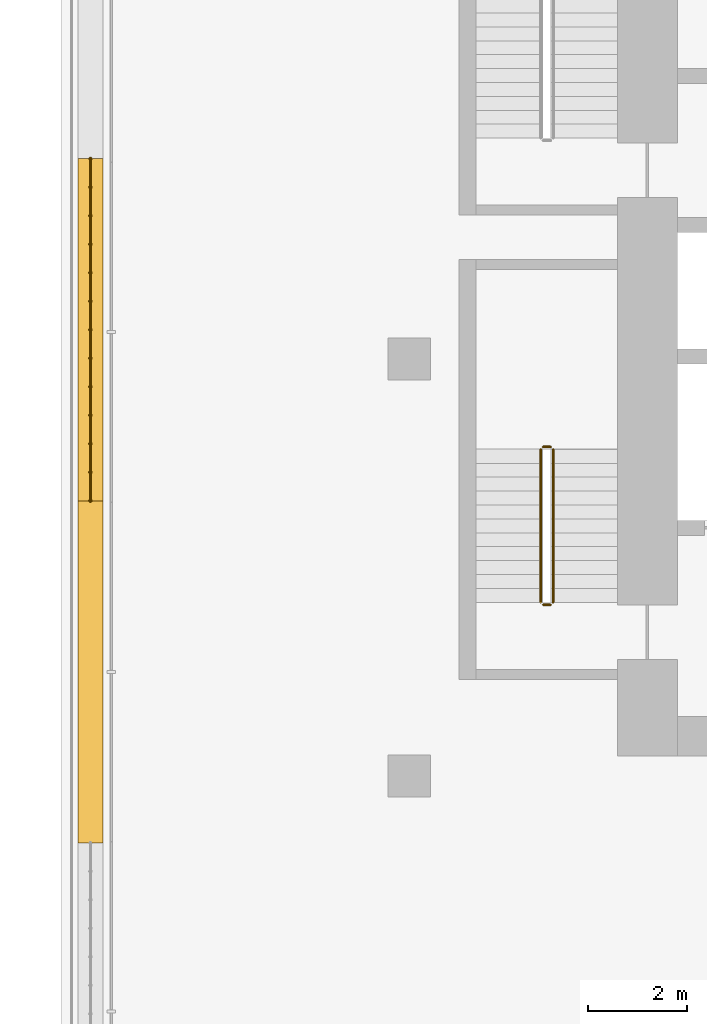
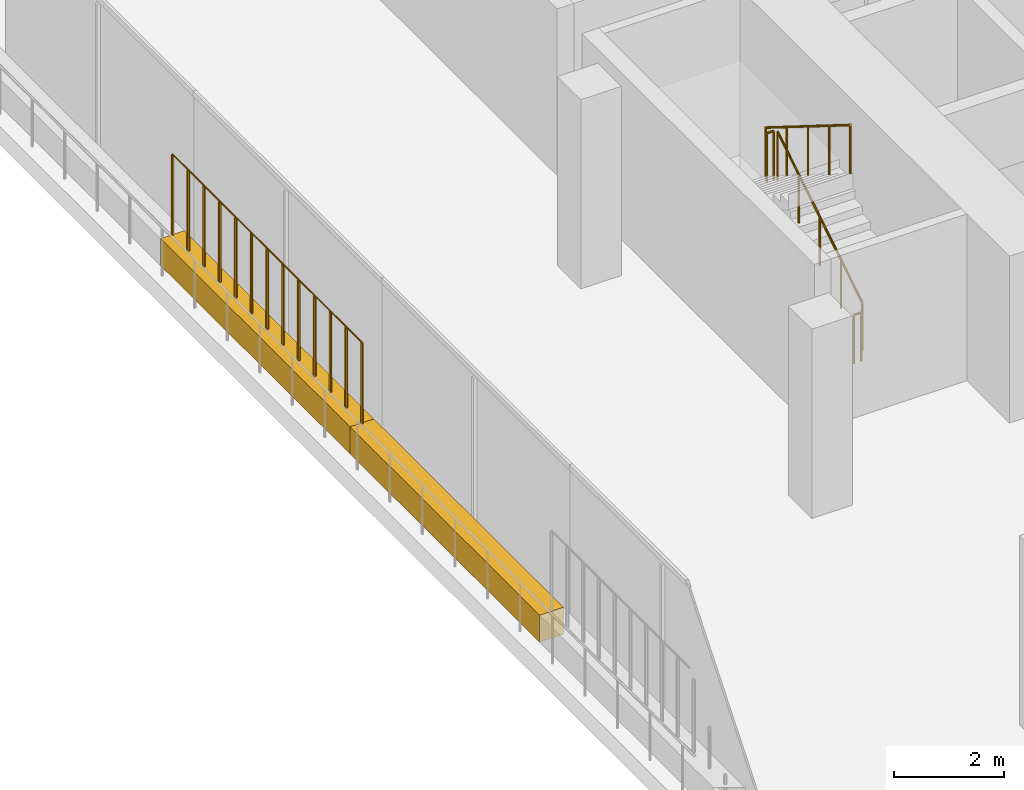
# One storey, part 17 of 23: 5 railings, 2 coverings.
"""IFC4 building model written with IfcOpenShell, lengths in metres."""

import ifcopenshell
import ifcopenshell.guid

model = None  # the IFC model being written
_history = None  # IfcOwnerHistory: only IFC2X3 demands one
_inside = {}  # id of a spatial element -> (the spatial element, [elements in it])
_under = {}  # id of a project, library or spatial element -> (it, [spatial elements below it])
_declared = {}  # id of a project -> (the project, [libraries it declares])
_typed = {}  # id of a type object -> (the type object, [elements of that type])
_made_of = {}  # id of a material, layer set ... -> (it, [elements and type objects made of it])


def new_model(schema):
    """Start an empty IFC model of exactly this schema.

    Asked for "IFC4X3", IfcOpenShell would pick the latest addendum, in which some entities
    have other attributes; the version numbers below select the first issue.
    IFC2X3 requires an IfcOwnerHistory on every rooted entity: one is made here for all.
    """
    global model, _history
    if schema == "IFC4X3":
        model = ifcopenshell.file(schema_version=(4, 3, 0, 0))
    else:
        model = ifcopenshell.file(schema=schema)
    _inside.clear()
    _under.clear()
    _declared.clear()
    _typed.clear()
    _made_of.clear()
    _history = None
    if model.schema == "IFC2X3":
        org = make("IfcOrganization", Name="unknown")
        user = make(
            "IfcPersonAndOrganization",
            ThePerson=make("IfcPerson", FamilyName="unknown"),
            TheOrganization=org,
        )
        app = make(
            "IfcApplication",
            ApplicationDeveloper=org,
            Version="unknown",
            ApplicationFullName="unknown",
            ApplicationIdentifier="unknown",
        )
        _history = make(
            "IfcOwnerHistory",
            OwningUser=user,
            OwningApplication=app,
            ChangeAction="ADDED",
            CreationDate=0,
        )
    return model


def make(cls, **values):
    """One entity of the class cls with the attributes given. An attribute that is None is left unset."""
    return model.create_entity(
        cls, **{name: value for name, value in values.items() if value is not None}
    )


def rooted(cls, **values):
    """An entity with a GlobalId (a new one), such as an element, a storey or a relation."""
    return make(cls, GlobalId=ifcopenshell.guid.new(), OwnerHistory=_history, **values)


def si_unit(unit_type, name, prefix=None):
    """IfcSIUnit, for example si_unit("LENGTHUNIT", "METRE", prefix="MILLI")."""
    return make("IfcSIUnit", UnitType=unit_type, Prefix=prefix, Name=name)


def assignment(units):
    """IfcUnitAssignment: the units of a project."""
    return None if units is None else make("IfcUnitAssignment", Units=units)


def point(xyz):
    """IfcCartesianPoint."""
    return None if xyz is None else make("IfcCartesianPoint", Coordinates=xyz)


def direction(xyz):
    """IfcDirection."""
    return None if xyz is None else make("IfcDirection", DirectionRatios=xyz)


def frame(location, z_axis=None, x_axis=None):
    """IfcAxis2Placement3D, a coordinate frame: its origin and axes. An axis left out is left unset."""
    return make(
        "IfcAxis2Placement3D",
        Location=point(location),
        Axis=direction(z_axis),
        RefDirection=direction(x_axis),
    )


def frame_2d(location, x_axis=None):
    """IfcAxis2Placement2D, a coordinate frame in the plane: its origin and x axis."""
    return make(
        "IfcAxis2Placement2D", Location=point(location), RefDirection=direction(x_axis)
    )


def origin():
    """The frame at (0, 0, 0) with its axes left unset."""
    return frame((0.0, 0.0, 0.0))


def origin_2d():
    """The frame at (0, 0) in the plane with its x axis left unset."""
    return frame_2d((0.0, 0.0))


def place(relative_to, where):
    """IfcLocalPlacement: puts the frame where relative to a parent placement (None: the world)."""
    return make(
        "IfcLocalPlacement", PlacementRelTo=relative_to, RelativePlacement=where
    )


def context(
    kind, dimensions, precision=None, world=None, true_north=None, identifier=None
):
    """IfcGeometricRepresentationContext, for example the 3D "Model" context."""
    return make(
        "IfcGeometricRepresentationContext",
        ContextIdentifier=identifier,
        ContextType=kind,
        CoordinateSpaceDimension=dimensions,
        Precision=precision,
        WorldCoordinateSystem=world,
        TrueNorth=true_north,
    )


def subcontext(parent, identifier, kind, view, scale=None):
    """IfcGeometricRepresentationSubContext, for example "Body" below "Model"."""
    return make(
        "IfcGeometricRepresentationSubContext",
        ContextIdentifier=identifier,
        ContextType=kind,
        ParentContext=parent,
        TargetScale=scale,
        TargetView=view,
    )


def project(units=None, contexts=None):
    """IfcProject with its units and contexts."""
    return rooted(
        "IfcProject",
        Name="project",
        RepresentationContexts=contexts,
        UnitsInContext=assignment(units),
    )


def spatial(cls, under=None, at=None, **own):
    """A site, building, storey or space (cls), placed at a placement, below another one or the project."""
    s = rooted(cls, ObjectPlacement=at, **own)
    if under is not None:
        _under.setdefault(under.id(), (under, []))[1].append(s)
    return s


def profile(cls, at=None, kind="AREA", **sizes):
    """A parametric profile (cls). Its sizes go by their IFC names, for example OverallWidth=200.0."""
    return make(cls, ProfileType=kind, Position=at, **sizes)


def rectangle(**sizes):
    """IfcRectangleProfileDef."""
    return profile("IfcRectangleProfileDef", **sizes)


def circle(**sizes):
    """IfcCircleProfileDef."""
    return profile("IfcCircleProfileDef", **sizes)


def extrude(swept, where, along, depth):
    """IfcExtrudedAreaSolid: the profile swept, set in the frame where, extruded along a direction by depth."""
    return make(
        "IfcExtrudedAreaSolid",
        SweptArea=swept,
        Position=where,
        ExtrudedDirection=direction(along),
        Depth=depth,
    )


def shape(context_of_items, identifier, shape_type, items):
    """IfcShapeRepresentation: the items that make up one representation, for example the "Body"."""
    return make(
        "IfcShapeRepresentation",
        ContextOfItems=context_of_items,
        RepresentationIdentifier=identifier,
        RepresentationType=shape_type,
        Items=items,
    )


def material(Name=None, Category=None):
    """IfcMaterial."""
    return make("IfcMaterial", Name=Name, Category=Category)


def material_profile(
    of_material, cross_section, Name=None, Category=None, Priority=None
):
    """IfcMaterialProfile: a cross section and its material."""
    return make(
        "IfcMaterialProfile",
        Name=Name,
        Material=of_material,
        Profile=cross_section,
        Priority=Priority,
        Category=Category,
    )


def profile_set(profiles, Name=None, composite=None):
    """IfcMaterialProfileSet."""
    return make(
        "IfcMaterialProfileSet",
        Name=Name,
        MaterialProfiles=profiles,
        CompositeProfile=composite,
    )


def made_of(thing, what):
    """Note that an element or type object is made of a material, layer set ...; save() writes the relation."""
    if what is not None:
        _made_of.setdefault(what.id(), (what, []))[1].append(thing)
    return thing


def type_object(cls, material=None, **own):
    """A type object (cls), such as IfcWallType, which elements share."""
    return made_of(rooted(cls, **own), material)


def element(
    cls,
    number,
    at=None,
    inside=None,
    cuts=None,
    type_object=None,
    material=None,
    context=None,
    identifier="Body",
    shape_type=None,
    held_by="IfcProductDefinitionShape",
    body=None,
    shapes=None,
    **own,
):
    """One element of the class cls, such as IfcWall. Its Tag is "e" and its number.

    at: its placement. inside: the storey or other place that contains it. cuts: it is an
    opening in that element (IfcRelVoidsElement). A single representation is given by context,
    identifier, shape_type and body (its items); several are given by shapes. held_by: the class
    of the entity that holds the representations. save() writes the other relations.
    """
    e = rooted(cls, Tag="e%d" % number, ObjectPlacement=at, **own)
    if body is not None:
        shapes = [shape(context, identifier, shape_type, body)]
    if shapes is not None:
        e.Representation = make(held_by, Representations=shapes)
    if inside is not None:
        _inside.setdefault(inside.id(), (inside, []))[1].append(e)
    if cuts is not None:
        rooted(
            "IfcRelVoidsElement", RelatingBuildingElement=cuts, RelatedOpeningElement=e
        )
    if type_object is not None:
        _typed.setdefault(type_object.id(), (type_object, []))[1].append(e)
    return made_of(e, material)


def aggregate(whole, parts):
    """IfcRelAggregates: a whole, such as a stair, and the parts it consists of."""
    return rooted("IfcRelAggregates", RelatingObject=whole, RelatedObjects=parts)


def save(model, path):
    """Write the relations noted so far, then the file.

    IfcRelAggregates (storeys below a building ...), IfcRelContainedInSpatialStructure (elements
    in a storey), IfcRelDefinesByType, IfcRelAssociatesMaterial and IfcRelDeclares: one each for
    every whole, place, type object, material and project.
    """
    for whole, parts in _under.values():
        aggregate(whole, parts)
    for where, things in _inside.values():
        rooted(
            "IfcRelContainedInSpatialStructure",
            RelatedElements=things,
            RelatingStructure=where,
        )
    for kind, things in _typed.values():
        rooted("IfcRelDefinesByType", RelatedObjects=things, RelatingType=kind)
    for what, things in _made_of.values():
        rooted("IfcRelAssociatesMaterial", RelatedObjects=things, RelatingMaterial=what)
    for by, libraries in _declared.values():
        rooted("IfcRelDeclares", RelatingContext=by, RelatedDefinitions=libraries)
    model.write(path)


model = new_model("IFC4")

# Units and contexts
model_context = context("Model", 3, precision=1e-05, world=origin(), true_north=direction((0.0, 1.0)))
body_context = subcontext(model_context, "Body", "Model", "MODEL_VIEW")
ifc_project = project(units=[si_unit("LENGTHUNIT", "METRE"), si_unit("AREAUNIT", "SQUARE_METRE"), si_unit("VOLUMEUNIT", "CUBIC_METRE"), si_unit("PLANEANGLEUNIT", "RADIAN"), si_unit("MASSUNIT", "GRAM", prefix="KILO")], contexts=[model_context])

# Site, building, storey
site_placement = place(None, origin())
site = spatial("IfcSite", under=ifc_project, at=site_placement, CompositionType="ELEMENT")
building_placement = place(site_placement, origin())
building = spatial("IfcBuilding", under=site, at=building_placement, Name="Kawkab Arch Medical Tower", CompositionType="ELEMENT")
storey_placement = place(building_placement, frame((0.0, 0.0, 268.39990234375)))
storey = spatial("IfcBuildingStorey", under=building, at=storey_placement, Name="L62", CompositionType="ELEMENT", Elevation=268.39990234375)

# Coverings
ifc_material_1 = material(Name="Planting soil in a precast trough", Category="concrete")
ifc_material_profile = material_profile(ifc_material_1, rectangle(XDim=0.5, YDim=0.60009765625, at=origin_2d()), Name="Trough 500x600")
ifc_profile_set = profile_set([ifc_material_profile], Name="Planting soil in a precast trough")
covering_type = type_object("IfcCoveringType", Name="Planter trough 500 x 600", PredefinedType="USERDEFINED", material=ifc_profile_set)
covering_1_placement = place(storey_placement, frame((-6.419921875, -26.544921875, 0.300048828125), z_axis=(0.0, 1.0, 0.0), x_axis=(-1.0, 0.0, 0.0)))
element("IfcCovering", 1, at=covering_1_placement, inside=storey, type_object=covering_type, Name="Planter L62.LOG-01-01.10", ObjectType="PLANTER", PredefinedType="USERDEFINED", context=body_context, shape_type="SweptSolid", body=[
    extrude(rectangle(XDim=0.5, YDim=0.60009765625, at=origin_2d()), origin(), (0.0, 0.0, 1.0), 6.889892578125),
])
covering_2_placement = place(storey_placement, frame((-6.419921875, -19.655029296875, 0.300048828125), z_axis=(0.0, 1.0, 0.0), x_axis=(-1.0, 0.0, 0.0)))
element("IfcCovering", 2, at=covering_2_placement, inside=storey, type_object=covering_type, Name="Planter L62.LOG-01-01.11", ObjectType="PLANTER", PredefinedType="USERDEFINED", context=body_context, shape_type="SweptSolid", body=[
    extrude(rectangle(XDim=0.5, YDim=0.60009765625, at=origin_2d()), origin(), (0.0, 0.0, 1.0), 6.89111328125),
])

# Railings
ifc_material_2 = material(Name="Bronze anodised aluminium trellis for climbing plants", Category="aluminium")
railing_type_1 = type_object("IfcRailingType", Name="Planting trellis 2400", PredefinedType="USERDEFINED", material=ifc_material_2)
railing_1_placement = place(storey_placement, frame((-6.419921875, -19.655029296875, 0.0)))
element("IfcRailing", 3, at=railing_1_placement, inside=storey, type_object=railing_type_1, Name="Planting trellis L62.LOG-01-01.11", ObjectType="TRELLIS", PredefinedType="USERDEFINED", context=body_context, shape_type="SweptSolid", body=[
    extrude(circle(Radius=0.01513671875, at=origin_2d()), frame((0.0, 0.0, 2.384765625), z_axis=(0.0, 1.0, 0.0), x_axis=(-1.0, 0.0, 0.0)), (0.0, 0.0, 1.0), 6.89111328125),
    extrude(circle(Radius=0.030029296875, at=origin_2d()), origin(), (0.0, 0.0, 1.0), 2.369873046875),
    extrude(circle(Radius=0.030029296875, at=origin_2d()), frame((0.0, 0.57421875, 0.0)), (0.0, 0.0, 1.0), 2.369873046875),
    extrude(circle(Radius=0.030029296875, at=origin_2d()), frame((0.0, 1.1484375, 0.0)), (0.0, 0.0, 1.0), 2.369873046875),
    extrude(circle(Radius=0.030029296875, at=origin_2d()), frame((0.0, 1.72265625, 0.0)), (0.0, 0.0, 1.0), 2.369873046875),
    extrude(circle(Radius=0.030029296875, at=origin_2d()), frame((0.0, 2.297119140625, 0.0)), (0.0, 0.0, 1.0), 2.369873046875),
    extrude(circle(Radius=0.030029296875, at=origin_2d()), frame((0.0, 2.871337890625, 0.0)), (0.0, 0.0, 1.0), 2.369873046875),
    extrude(circle(Radius=0.030029296875, at=origin_2d()), frame((0.0, 3.445556640625, 0.0)), (0.0, 0.0, 1.0), 2.369873046875),
    extrude(circle(Radius=0.030029296875, at=origin_2d()), frame((0.0, 4.019775390625, 0.0)), (0.0, 0.0, 1.0), 2.369873046875),
    extrude(circle(Radius=0.030029296875, at=origin_2d()), frame((0.0, 4.593994140625, 0.0)), (0.0, 0.0, 1.0), 2.369873046875),
    extrude(circle(Radius=0.030029296875, at=origin_2d()), frame((0.0, 5.16845703125, 0.0)), (0.0, 0.0, 1.0), 2.369873046875),
    extrude(circle(Radius=0.030029296875, at=origin_2d()), frame((0.0, 5.74267578125, 0.0)), (0.0, 0.0, 1.0), 2.369873046875),
    extrude(circle(Radius=0.030029296875, at=origin_2d()), frame((0.0, 6.31689453125, 0.0)), (0.0, 0.0, 1.0), 2.369873046875),
    extrude(circle(Radius=0.030029296875, at=origin_2d()), frame((0.0, 6.89111328125, 0.0)), (0.0, 0.0, 1.0), 2.369873046875),
])
ifc_material_3 = material(Name="Stainless steel", Category="steel")
railing_type_2 = type_object("IfcRailingType", Name="Stair guard 1100", PredefinedType="GUARDRAIL", material=ifc_material_3)
railing_2_placement = place(storey_placement, frame((2.89990234375, -21.699951171875, 0.175048828125)))
element("IfcRailing", 4, at=railing_2_placement, inside=storey, type_object=railing_type_2, Name="L62 ST2 stair guard 1", PredefinedType="GUARDRAIL", context=body_context, shape_type="SweptSolid", body=[
    extrude(circle(Radius=0.02392578125, at=origin_2d()), frame((0.0, 0.0, 1.076171875), z_axis=(0.0, 0.847979421464, 0.530029150871), x_axis=(-1.0, 0.0, 0.0)), (0.0, 0.0, 1.0), 3.632080078125),
    extrude(circle(Radius=0.02099609375, at=origin_2d()), origin(), (0.0, 0.0, 1.0), 1.052001953125),
    extrude(circle(Radius=0.02099609375, at=origin_2d()), frame((0.0, 0.77001953125, 0.481201171875)), (0.0, 0.0, 1.0), 1.052001953125),
    extrude(circle(Radius=0.02099609375, at=origin_2d()), frame((0.0, 1.5400390625, 0.96240234375)), (0.0, 0.0, 1.0), 1.052001953125),
    extrude(circle(Radius=0.02099609375, at=origin_2d()), frame((0.0, 2.309814453125, 1.44384765625)), (0.0, 0.0, 1.0), 1.052001953125),
    extrude(circle(Radius=0.02099609375, at=origin_2d()), frame((0.0, 3.079833984375, 1.925048828125)), (0.0, 0.0, 1.0), 1.052001953125),
])
railing_3_placement = place(storey_placement, frame((2.85009765625, -18.570068359375, 2.10009765625)))
element("IfcRailing", 5, at=railing_3_placement, inside=storey, type_object=railing_type_2, Name="L62 ST2 stair guard 2", PredefinedType="GUARDRAIL", context=body_context, shape_type="SweptSolid", body=[
    extrude(circle(Radius=0.02392578125, at=origin_2d()), frame((0.0, 0.0, 1.076171875), z_axis=(-1.0, 0.0, 0.0), x_axis=(0.0, -1.0, 0.0)), (0.0, 0.0, 1.0), 0.150146484375),
    extrude(circle(Radius=0.02099609375, at=origin_2d()), origin(), (0.0, 0.0, 1.0), 1.052001953125),
    extrude(circle(Radius=0.02099609375, at=origin_2d()), frame((-0.150146484375, 0.0, 0.0)), (0.0, 0.0, 1.0), 1.052001953125),
])
railing_4_placement = place(storey_placement, frame((2.64990234375, -18.6201171875, 2.275146484375)))
element("IfcRailing", 6, at=railing_4_placement, inside=storey, type_object=railing_type_2, Name="L62 ST2 stair guard 3", PredefinedType="GUARDRAIL", context=body_context, shape_type="SweptSolid", body=[
    extrude(circle(Radius=0.02392578125, at=origin_2d()), frame((0.0, 0.0, 1.076171875), z_axis=(0.0, -0.847979421464, 0.530029150871), x_axis=(1.0, 0.0, 0.0)), (0.0, 0.0, 1.0), 3.632080078125),
    extrude(circle(Radius=0.02099609375, at=origin_2d()), origin(), (0.0, 0.0, 1.0), 1.052001953125),
    extrude(circle(Radius=0.02099609375, at=origin_2d()), frame((0.0, -0.77001953125, 0.481201171875)), (0.0, 0.0, 1.0), 1.052001953125),
    extrude(circle(Radius=0.02099609375, at=origin_2d()), frame((0.0, -1.5400390625, 0.96240234375)), (0.0, 0.0, 1.0), 1.052001953125),
    extrude(circle(Radius=0.02099609375, at=origin_2d()), frame((0.0, -2.309814453125, 1.44384765625)), (0.0, 0.0, 1.0), 1.052001953125),
    extrude(circle(Radius=0.02099609375, at=origin_2d()), frame((0.0, -3.079833984375, 1.925048828125)), (0.0, 0.0, 1.0), 1.052001953125),
])
railing_5_placement = place(storey_placement, frame((2.85009765625, -21.75, 0.0)))
element("IfcRailing", 7, at=railing_5_placement, inside=storey, type_object=railing_type_2, Name="L62 ST2 stair guard 4", PredefinedType="GUARDRAIL", context=body_context, shape_type="SweptSolid", body=[
    extrude(circle(Radius=0.02392578125, at=origin_2d()), frame((0.0, 0.0, 1.076171875), z_axis=(-1.0, 0.0, 0.0), x_axis=(0.0, -1.0, 0.0)), (0.0, 0.0, 1.0), 0.150146484375),
    extrude(circle(Radius=0.02099609375, at=origin_2d()), origin(), (0.0, 0.0, 1.0), 1.052001953125),
    extrude(circle(Radius=0.02099609375, at=origin_2d()), frame((-0.150146484375, 0.0, 0.0)), (0.0, 0.0, 1.0), 1.052001953125),
])

save(model, "model.ifc")
